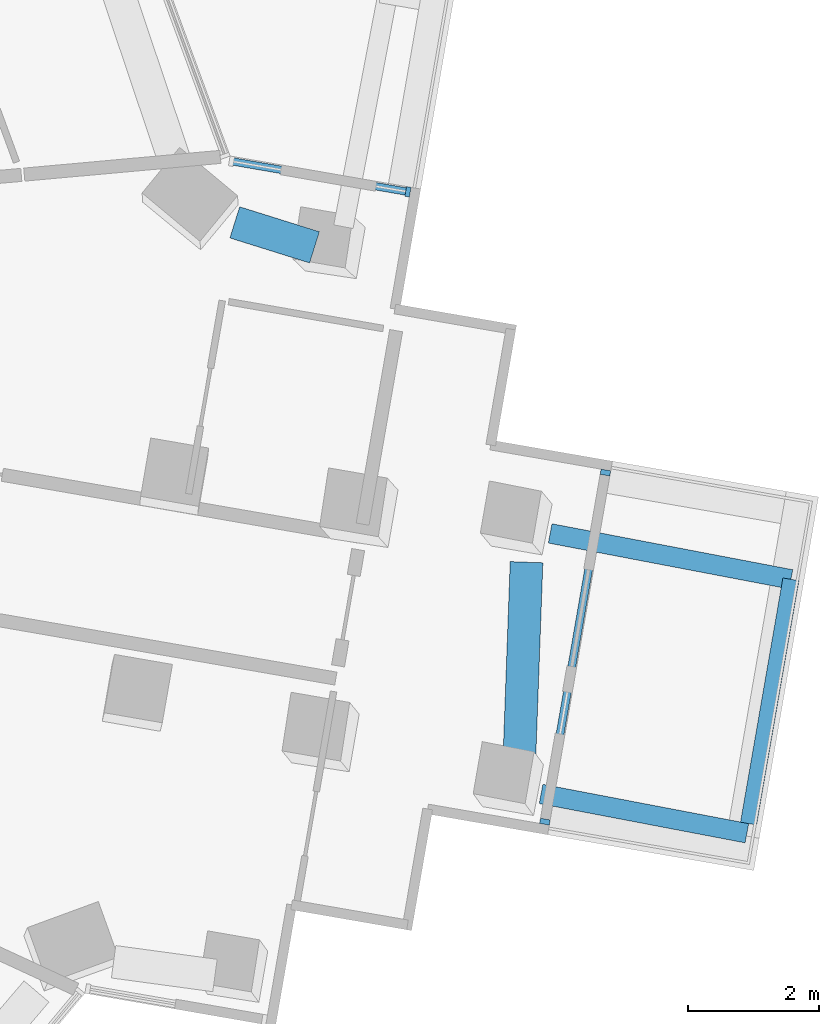
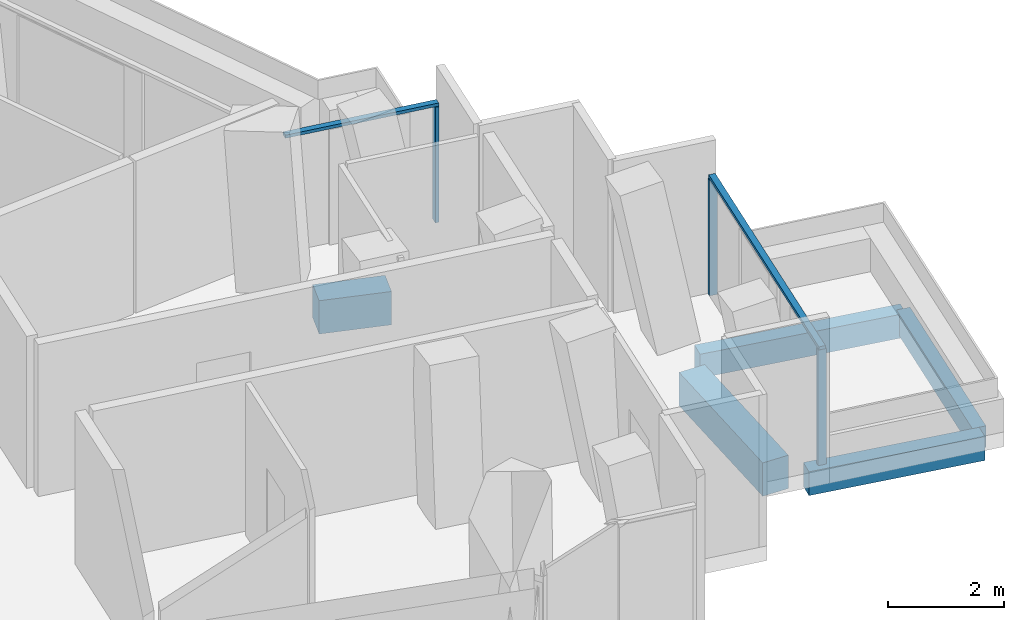
# One storey, part 6 of 24: 5 beams, 5 members, 2 elements without a shape of their own.
"""IFC4 building model written with IfcOpenShell, lengths in metres."""

from ifc_helpers import new_model, si_unit, direction, frame, origin, origin_2d, place, context, subcontext, project, spatial, rectangle, extrude, material, layer, layer_set, material_profile, profile_set, type_object, element, aggregate, save


model = new_model("IFC4")

# Units and contexts
model_context = context("Model", 3, precision=1e-05, world=origin(), true_north=direction((0.0, 1.0)))
body_context = subcontext(model_context, "Body", "Model", "MODEL_VIEW")
ifc_project = project(units=[si_unit("LENGTHUNIT", "METRE"), si_unit("AREAUNIT", "SQUARE_METRE"), si_unit("VOLUMEUNIT", "CUBIC_METRE"), si_unit("PLANEANGLEUNIT", "RADIAN"), si_unit("MASSUNIT", "GRAM", prefix="KILO")], contexts=[model_context])

# Site, building, storey
site_placement = place(None, origin())
site = spatial("IfcSite", under=ifc_project, at=site_placement, CompositionType="ELEMENT")
building_placement = place(site_placement, origin())
building = spatial("IfcBuilding", under=site, at=building_placement, Name="Verdalira Terraces Hotel", CompositionType="ELEMENT")
storey_placement = place(building_placement, frame((0.0, 0.0, 115.0)))
storey = spatial("IfcBuildingStorey", under=building, at=storey_placement, Name="L27", CompositionType="ELEMENT", Elevation=115.0)

# Beams
ifc_material_1 = material(Name="Concrete C40", Category="concrete")
ifc_material_profile_1 = material_profile(ifc_material_1, rectangle(XDim=0.300049, YDim=0.5, at=origin_2d()), Name="RC 300X500")
ifc_profile_set_1 = profile_set([ifc_material_profile_1], Name="Concrete C40")
beam_type_1 = type_object("IfcBeamType", Name="Balcony cantilever beam RC 300X500 C40", PredefinedType="BEAM", material=ifc_profile_set_1)
beam_1_placement = place(storey_placement, frame((29.769043, -7.5, -0.560059), z_axis=(0.982287862, -0.187378113, 0.0), x_axis=(0.187378113, 0.982287862, 0.0)))
element("IfcBeam", 1, at=beam_1_placement, inside=storey, type_object=beam_type_1, Name="Balcony cantilever beam R33-1", PredefinedType="BEAM", context=body_context, shape_type="SweptSolid", body=[
    extrude(rectangle(XDim=0.300049, YDim=0.5, at=origin_2d()), origin(), (0.0, 0.0, 1.0), 3.205322),
])
beam_2_placement = place(storey_placement, frame((29.908203, -3.514404, -0.560059), z_axis=(0.982284955, -0.187393351, 0.0), x_axis=(0.187393351, 0.982284955, 0.0)))
element("IfcBeam", 2, at=beam_2_placement, inside=storey, type_object=beam_type_1, Name="Balcony cantilever beam R33-2", PredefinedType="BEAM", context=body_context, shape_type="SweptSolid", body=[
    extrude(rectangle(XDim=0.300049, YDim=0.5, at=origin_2d()), origin(), (0.0, 0.0, 1.0), 3.749512),
])
ifc_material_2 = material(Name="Concrete C40", Category="concrete")
ifc_material_profile_2 = material_profile(ifc_material_2, rectangle(XDim=0.25, YDim=0.449951, at=origin_2d()), Name="RC 250X450")
ifc_profile_set_2 = profile_set([ifc_material_profile_2], Name="Concrete C40")
beam_type_2 = type_object("IfcBeamType", Name="Balcony edge beam RC 250X450 C40", PredefinedType="BEAM", material=ifc_profile_set_2)
beam_3_placement = place(storey_placement, frame((32.943115, -7.952881, -0.534912), z_axis=(0.170952583, 0.985279257, 0.0), x_axis=(-0.985279257, 0.170952583, 0.0)))
element("IfcBeam", 3, at=beam_3_placement, inside=storey, type_object=beam_type_2, Name="Balcony edge beam R33-1", PredefinedType="BEAM", context=body_context, shape_type="SweptSolid", body=[
    extrude(rectangle(XDim=0.25, YDim=0.449951, at=origin_2d()), origin(), (0.0, 0.0, 1.0), 3.791748),
])

# Curtain wall, members
ifc_material_3 = material(Name="Clear glass", Category="glass")
ifc_layer_1 = layer(ifc_material_3, 0.14990234375)
ifc_layer_set_1 = layer_set([ifc_layer_1], Name="CW2 curtain wall")
curtain_wall_type_1 = type_object("IfcCurtainWallType", Name="CW2 curtain wall", PredefinedType="NOTDEFINED", material=ifc_layer_set_1)
curtain_wall_1_placement = place(storey_placement, origin())
curtain_wall_1 = element("IfcCurtainWall", 4, at=curtain_wall_1_placement, inside=storey, type_object=curtain_wall_type_1, Name="CW2 curtain wall L27 edge 38", PredefinedType="NOTDEFINED")
ifc_material_4 = material(Name="Terracotta frame", Category="masonry")
ifc_material_profile_3 = material_profile(ifc_material_4, rectangle(XDim=0.070068, YDim=0.149902, at=origin_2d()), Name="MU 70x150")
ifc_profile_set_3 = profile_set([ifc_material_profile_3], Name="Terracotta frame")
member_type_1 = type_object("IfcMemberType", Name="CW2 mullion 70x150", PredefinedType="MULLION", material=ifc_profile_set_3)
member_1_placement = place(storey_placement, frame((27.73291, 1.710693, 0.0), z_axis=(0.0, 0.0, 1.0), x_axis=(-0.98528883, 0.170897402, 0.0)))
member_1 = element("IfcMember", 5, at=member_1_placement, type_object=member_type_1, Name="CW2 mullion", PredefinedType="MULLION", context=body_context, shape_type="SweptSolid", body=[
    extrude(rectangle(XDim=0.070068, YDim=0.149902, at=origin_2d()), origin(), (0.0, 0.0, 1.0), 2.425049),
])
ifc_material_5 = material(Name="Terracotta frame", Category="masonry")
ifc_material_profile_4 = material_profile(ifc_material_5, rectangle(XDim=0.11499, YDim=0.064941, at=origin_2d()), Name="TR 65x115")
ifc_profile_set_4 = profile_set([ifc_material_profile_4], Name="Terracotta frame")
member_type_2 = type_object("IfcMemberType", Name="CW2 transom 65x115", PredefinedType="USERDEFINED", material=ifc_profile_set_4)
member_2_placement = place(storey_placement, frame((27.767578, 1.70459, 2.45752), z_axis=(-0.985282467, 0.170934081, 0.0), x_axis=(-0.170934081, -0.985282467, 0.0)))
member_2 = element("IfcMember", 6, at=member_2_placement, type_object=member_type_2, Name="CW2 transom", ObjectType="TRANSOM", PredefinedType="USERDEFINED", context=body_context, shape_type="SweptSolid", body=[
    extrude(rectangle(XDim=0.11499, YDim=0.064941, at=origin_2d()), origin(), (0.0, 0.0, 1.0), 2.809326),
])
aggregate(curtain_wall_1, [member_1, member_2])

ifc_material_6 = material(Name="Clear glass", Category="glass")
ifc_layer_2 = layer(ifc_material_6, 0.14990234375)
ifc_layer_set_2 = layer_set([ifc_layer_2], Name="CW3 curtain wall")
curtain_wall_type_2 = type_object("IfcCurtainWallType", Name="CW3 curtain wall", PredefinedType="NOTDEFINED", material=ifc_layer_set_2)
curtain_wall_2_placement = place(storey_placement, origin())
curtain_wall_2 = element("IfcCurtainWall", 7, at=curtain_wall_2_placement, inside=storey, type_object=curtain_wall_type_2, Name="CW3 curtain wall L27 edge 33", PredefinedType="NOTDEFINED")
ifc_material_7 = material(Name="Terracotta frame", Category="masonry")
ifc_material_profile_5 = material_profile(ifc_material_7, rectangle(XDim=0.080078, YDim=0.149902, at=origin_2d()), Name="MU 80x150")
ifc_profile_set_5 = profile_set([ifc_material_profile_5], Name="Terracotta frame")
member_type_3 = type_object("IfcMemberType", Name="CW3 mullion 80x150", PredefinedType="MULLION", material=ifc_profile_set_5)
member_3_placement = place(storey_placement, frame((29.827393, -7.924072, 0.0), z_axis=(0.0, 0.0, 1.0), x_axis=(0.170897402, 0.98528883, 0.0)))
member_3 = element("IfcMember", 8, at=member_3_placement, type_object=member_type_3, Name="CW3 mullion", PredefinedType="MULLION", context=body_context, shape_type="SweptSolid", body=[
    extrude(rectangle(XDim=0.080078, YDim=0.149902, at=origin_2d()), origin(), (0.0, 0.0, 1.0), 2.425049),
])
member_4_placement = place(storey_placement, frame((30.753662, -2.58374, 0.0), z_axis=(0.0, 0.0, 1.0), x_axis=(0.170897402, 0.98528883, 0.0)))
member_4 = element("IfcMember", 9, at=member_4_placement, type_object=member_type_3, Name="CW3 mullion", PredefinedType="MULLION", context=body_context, shape_type="SweptSolid", body=[
    extrude(rectangle(XDim=0.080078, YDim=0.149902, at=origin_2d()), origin(), (0.0, 0.0, 1.0), 2.425049),
])
ifc_material_8 = material(Name="Terracotta frame", Category="masonry")
ifc_material_profile_6 = material_profile(ifc_material_8, rectangle(XDim=0.120117, YDim=0.064941, at=origin_2d()), Name="TR 65x120")
ifc_profile_set_6 = profile_set([ifc_material_profile_6], Name="Terracotta frame")
member_type_4 = type_object("IfcMemberType", Name="CW3 transom 65x120", PredefinedType="USERDEFINED", material=ifc_profile_set_6)
member_5_placement = place(storey_placement, frame((29.820557, -7.963379, 2.45752), z_axis=(0.170895319, 0.985289191, 0.0), x_axis=(-0.985289191, 0.170895319, 0.0)))
member_5 = element("IfcMember", 10, at=member_5_placement, type_object=member_type_4, Name="CW3 transom", ObjectType="TRANSOM", PredefinedType="USERDEFINED", context=body_context, shape_type="SweptSolid", body=[
    extrude(rectangle(XDim=0.120117, YDim=0.064941, at=origin_2d()), origin(), (0.0, 0.0, 1.0), 5.5),
])
aggregate(curtain_wall_2, [member_3, member_4, member_5])

# Beams
ifc_material_9 = material(Name="Concrete C70", Category="concrete")
ifc_material_profile_7 = material_profile(ifc_material_9, rectangle(XDim=0.5, YDim=0.699951, at=origin_2d()), Name="RC 500X700")
ifc_profile_set_7 = profile_set([ifc_material_profile_7], Name="Concrete C70")
beam_type_3 = type_object("IfcBeamType", Name="Spandrel beam RC 500X700 C70", PredefinedType="SPANDREL", material=ifc_profile_set_7)
beam_4_placement = place(storey_placement, frame((29.43457, -7.028809, -0.659912), z_axis=(0.036509675, 0.9993333, 0.0), x_axis=(-0.9993333, 0.036509675, 0.0)))
element("IfcBeam", 11, at=beam_4_placement, inside=storey, type_object=beam_type_3, Name="Spandrel beam B22", PredefinedType="SPANDREL", context=body_context, shape_type="SweptSolid", body=[
    extrude(rectangle(XDim=0.5, YDim=0.699951, at=origin_2d()), origin(), (0.0, 0.0, 1.0), 3.075928),
])
beam_5_placement = place(storey_placement, frame((26.302979, 0.861572, -0.659912), z_axis=(-0.954279117, 0.298916991, 0.0), x_axis=(-0.298916991, -0.954279117, 0.0)))
element("IfcBeam", 12, at=beam_5_placement, inside=storey, type_object=beam_type_3, Name="Spandrel beam B23S", PredefinedType="SPANDREL", context=body_context, shape_type="SweptSolid", body=[
    extrude(rectangle(XDim=0.5, YDim=0.699951, at=origin_2d()), origin(), (0.0, 0.0, 1.0), 1.277344),
])

save(model, "model.ifc")
